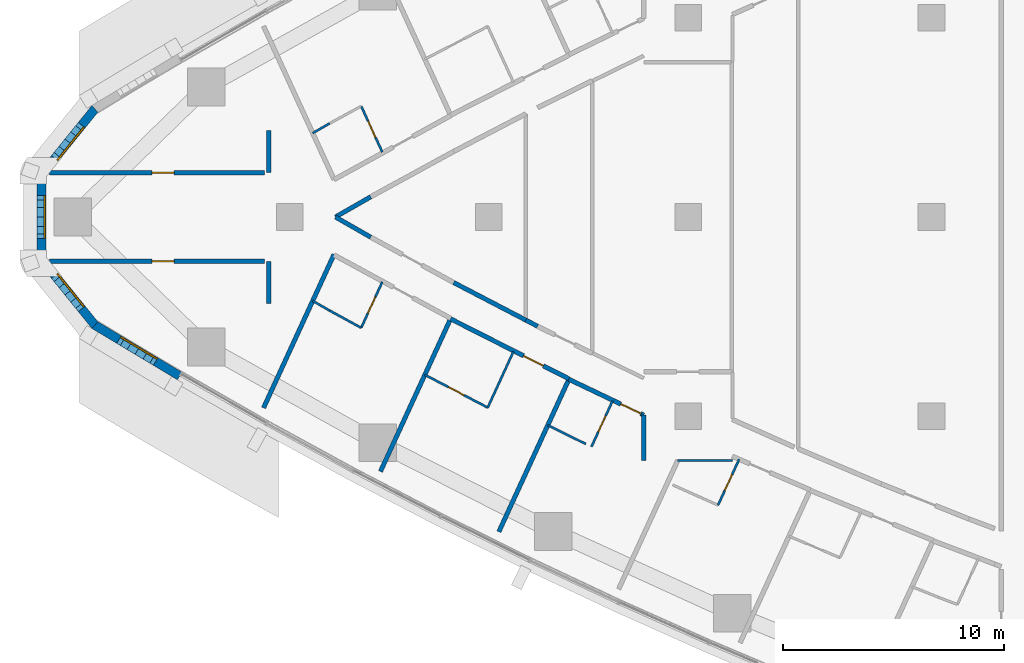
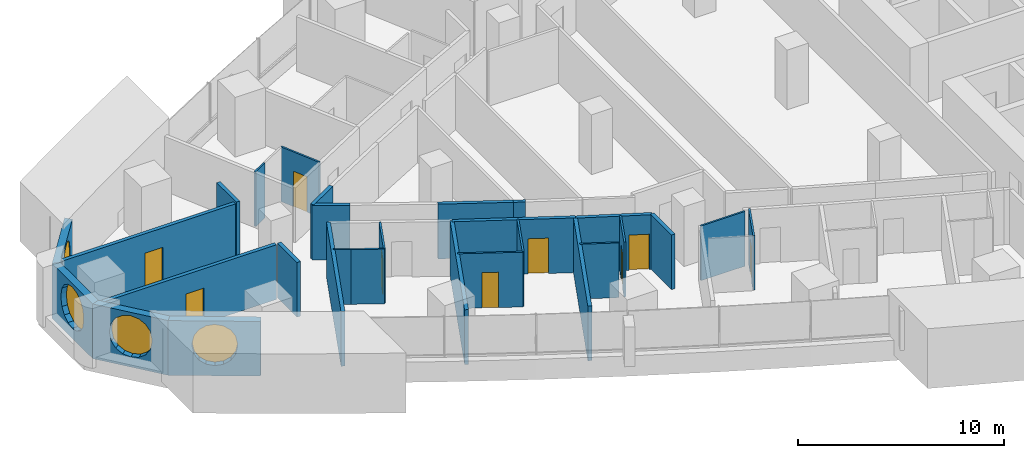
# One storey, part 8 of 17: 29 walls, 9 doors, 4 windows, 13 openings.
"""IFC4 building model written with IfcOpenShell, lengths in metres."""

from ifc_helpers import new_model, si_unit, direction, frame, frame_2d, origin, place, context, subcontext, project, spatial, polyline, rectangle, outline, extrude, material, layer, layer_set, type_object, element, fill, save


model = new_model("IFC4")

# Units and contexts
model_context = context("Model", 3, precision=1e-05, world=origin(), true_north=direction((0.0, 1.0)))
body_context = subcontext(model_context, "Body", "Model", "MODEL_VIEW")
ifc_project = project(units=[si_unit("LENGTHUNIT", "METRE"), si_unit("AREAUNIT", "SQUARE_METRE"), si_unit("VOLUMEUNIT", "CUBIC_METRE"), si_unit("PLANEANGLEUNIT", "RADIAN"), si_unit("MASSUNIT", "GRAM", prefix="KILO")], contexts=[model_context])

# Site, building, storey
site_placement = place(None, origin())
site = spatial("IfcSite", under=ifc_project, at=site_placement, CompositionType="ELEMENT")
building_placement = place(site_placement, origin())
building = spatial("IfcBuilding", under=site, at=building_placement, Name="Ostrand Prow Hotel Tower", CompositionType="ELEMENT")
storey_placement = place(building_placement, frame((0.0, 0.0, 109.75)))
storey = spatial("IfcBuildingStorey", under=building, at=storey_placement, Name="L26", CompositionType="ELEMENT", Elevation=109.75)

# Wall
ifc_material_1 = material(Name="Plasterboard partition")
ifc_layer_1 = layer(ifc_material_1, 0.10009765625)
ifc_layer_set_1 = layer_set([ifc_layer_1], Name="Plasterboard partition")
wall_type_1 = type_object("IfcWallType", Name="Partition 100 bathroom wall", PredefinedType="PARTITIONING", material=ifc_layer_set_1)
wall_1_placement = place(storey_placement, frame((17.0361328125, 3.7900390625, 0.0), z_axis=(0.0, 0.0, 1.0), x_axis=(0.867629162742, 0.497211862248, 0.0)))
element("IfcWall", 1, at=wall_1_placement, inside=storey, type_object=wall_type_1, Name="BATHROOM WALL", PredefinedType="PARTITIONING", context=body_context, shape_type="SweptSolid", body=[
    extrude(rectangle(XDim=0.8818359375, YDim=0.10009765625, at=frame_2d((0.44091796875, 0.0))), origin(), (0.0, 0.0, 1.0), 3.25),
])

# Wall, opening, door
wall_2_placement = place(storey_placement, frame((19.2275390625, 5.00830078125, 0.0), z_axis=(0.0, 0.0, 1.0), x_axis=(0.417450047292, -0.908699872354, 0.0)))
wall_2 = element("IfcWall", 2, at=wall_2_placement, inside=storey, type_object=wall_type_1, Name="BATHROOM WALL", PredefinedType="PARTITIONING", context=body_context, shape_type="SweptSolid", body=[
    extrude(rectangle(XDim=2.28271484375, YDim=0.10009765625, at=frame_2d((1.141357421875, 0.0))), origin(), (0.0, 0.0, 1.0), 3.25),
])
opening_1_placement = place(wall_2_placement, frame((0.75, 0.0, 0.0)))
opening_1 = element("IfcOpeningElement", 3, at=opening_1_placement, cuts=wall_2, Name="Opening D2", PredefinedType="OPENING", context=body_context, shape_type="SweptSolid", body=[
    extrude(rectangle(XDim=0.800048828125, YDim=2.10009765625, at=frame_2d((0.39990234375, 1.050048828125))), frame((0.0, 0.06005859375, 0.0), z_axis=(0.0, -1.0, 0.0), x_axis=(1.0, 0.0, 0.0)), (0.0, 0.0, 1.0), 0.1201171875),
])
ifc_material_2 = material(Name="Timber door leaf", Category="wood")
door_type_1 = type_object("IfcDoorType", Name="Bathroom door 800", OperationType="SINGLE_SWING_LEFT", PredefinedType="DOOR", material=ifc_material_2)
door_1_placement = place(opening_1_placement, origin())
door_1 = element("IfcDoor", 4, at=door_1_placement, inside=storey, type_object=door_type_1, Name="DOOR", OperationType="SINGLE_SWING_LEFT", OverallHeight=2.10009765625, OverallWidth=0.800048828125, PredefinedType="DOOR", context=body_context, shape_type="SweptSolid", body=[
    extrude(rectangle(XDim=0.800048828125, YDim=2.10009765625, at=frame_2d((0.39990234375, 1.050048828125))), frame((0.0, 0.02490234375, 0.0), z_axis=(0.0, -1.0, 0.0), x_axis=(1.0, 0.0, 0.0)), (0.0, 0.0, 1.0), 0.050048828125),
])
fill(opening_1, door_1)

wall_3_placement = place(storey_placement, frame((20.180419921875, -2.93408203125, 0.0), z_axis=(0.0, 0.0, 1.0), x_axis=(-0.417450047292, -0.908699872354, 0.0)))
wall_3 = element("IfcWall", 5, at=wall_3_placement, inside=storey, type_object=wall_type_1, Name="BATHROOM WALL", PredefinedType="PARTITIONING", context=body_context, shape_type="SweptSolid", body=[
    extrude(rectangle(XDim=2.28271484375, YDim=0.10009765625, at=frame_2d((1.141357421875, 0.0))), origin(), (0.0, 0.0, 1.0), 3.25),
])
opening_2_placement = place(wall_3_placement, frame((0.75, 0.0, 0.0)))
opening_2 = element("IfcOpeningElement", 6, at=opening_2_placement, cuts=wall_3, Name="Opening D2", PredefinedType="OPENING", context=body_context, shape_type="SweptSolid", body=[
    extrude(rectangle(XDim=0.800048828125, YDim=2.10009765625, at=frame_2d((0.39990234375, 1.050048828125))), frame((0.0, 0.06005859375, 0.0), z_axis=(0.0, -1.0, 0.0), x_axis=(1.0, 0.0, 0.0)), (0.0, 0.0, 1.0), 0.1201171875),
])
door_2_placement = place(opening_2_placement, origin())
door_2 = element("IfcDoor", 7, at=door_2_placement, inside=storey, type_object=door_type_1, Name="DOOR", OperationType="SINGLE_SWING_LEFT", OverallHeight=2.10009765625, OverallWidth=0.800048828125, PredefinedType="DOOR", context=body_context, shape_type="SweptSolid", body=[
    extrude(rectangle(XDim=0.800048828125, YDim=2.10009765625, at=frame_2d((0.39990234375, 1.050048828125))), frame((0.0, 0.02490234375, 0.0), z_axis=(0.0, -1.0, 0.0), x_axis=(1.0, 0.0, 0.0)), (0.0, 0.0, 1.0), 0.050048828125),
])
fill(opening_2, door_2)

# Walls
wall_4_placement = place(storey_placement, frame((19.2275390625, -5.00830078125, 0.0), z_axis=(0.0, 0.0, 1.0), x_axis=(-0.877424481957, 0.479714788663, 0.0)))
element("IfcWall", 8, at=wall_4_placement, inside=storey, type_object=wall_type_1, Name="BATHROOM WALL", PredefinedType="PARTITIONING", context=body_context, shape_type="SweptSolid", body=[
    extrude(rectangle(XDim=1.62548828125, YDim=0.10009765625, at=frame_2d((0.812744140625, 0.0))), origin(), (0.0, 0.0, 1.0), 3.25),
])
wall_5_placement = place(storey_placement, frame((17.80126953125, -4.228515625, 0.0), z_axis=(0.0, 0.0, 1.0), x_axis=(-0.867629162742, 0.497211862248, 0.0)))
element("IfcWall", 9, at=wall_5_placement, inside=storey, type_object=wall_type_1, Name="BATHROOM WALL", PredefinedType="PARTITIONING", context=body_context, shape_type="SweptSolid", body=[
    extrude(rectangle(XDim=0.8818359375, YDim=0.10009765625, at=frame_2d((0.44091796875, 0.0))), origin(), (0.0, 0.0, 1.0), 3.25),
])
wall_6_placement = place(storey_placement, frame((26.10595703125, -6.085205078125, 0.0), z_axis=(0.0, 0.0, 1.0), x_axis=(-0.417431588167, -0.908708352113, 0.0)))
element("IfcWall", 10, at=wall_6_placement, inside=storey, type_object=wall_type_1, Name="BATHROOM WALL", PredefinedType="PARTITIONING", context=body_context, shape_type="SweptSolid", body=[
    extrude(rectangle(XDim=2.780517578125, YDim=0.10009765625, at=frame_2d((1.39013671875, 0.0))), origin(), (0.0, 0.0, 1.0), 3.25),
])

# Wall, opening, door
wall_7_placement = place(storey_placement, frame((24.9453125, -8.61181640625, 0.0), z_axis=(0.0, 0.0, 1.0), x_axis=(-0.886865947566, 0.46202682936, 0.0)))
wall_7 = element("IfcWall", 11, at=wall_7_placement, inside=storey, type_object=wall_type_1, Name="BATHROOM WALL", PredefinedType="PARTITIONING", context=body_context, shape_type="SweptSolid", body=[
    extrude(rectangle(XDim=3.203857421875, YDim=0.10009765625, at=frame_2d((1.60205078125, 0.0))), origin(), (0.0, 0.0, 1.0), 3.25),
])
opening_3_placement = place(wall_7_placement, frame((1.199951171875, 0.0, 0.0)))
opening_3 = element("IfcOpeningElement", 12, at=opening_3_placement, cuts=wall_7, Name="Opening D2", PredefinedType="OPENING", context=body_context, shape_type="SweptSolid", body=[
    extrude(rectangle(XDim=0.800048828125, YDim=2.10009765625, at=frame_2d((0.39990234375, 1.050048828125))), frame((0.0, 0.06005859375, 0.0), z_axis=(0.0, -1.0, 0.0), x_axis=(1.0, 0.0, 0.0)), (0.0, 0.0, 1.0), 0.1201171875),
])
door_3_placement = place(opening_3_placement, origin())
door_3 = element("IfcDoor", 13, at=door_3_placement, inside=storey, type_object=door_type_1, Name="DOOR", OperationType="SINGLE_SWING_LEFT", OverallHeight=2.10009765625, OverallWidth=0.800048828125, PredefinedType="DOOR", context=body_context, shape_type="SweptSolid", body=[
    extrude(rectangle(XDim=0.800048828125, YDim=2.10009765625, at=frame_2d((0.39990234375, 1.050048828125))), frame((0.0, 0.02490234375, 0.0), z_axis=(0.0, -1.0, 0.0), x_axis=(1.0, 0.0, 0.0)), (0.0, 0.0, 1.0), 0.050048828125),
])
fill(opening_3, door_3)

wall_8_placement = place(storey_placement, frame((30.586181640625, -8.310302734375, 0.0), z_axis=(0.0, 0.0, 1.0), x_axis=(-0.417466676952, -0.908692232626, 0.0)))
wall_8 = element("IfcWall", 14, at=wall_8_placement, inside=storey, type_object=wall_type_1, Name="BATHROOM WALL", PredefinedType="PARTITIONING", context=body_context, shape_type="SweptSolid", body=[
    extrude(rectangle(XDim=2.27734375, YDim=0.10009765625, at=frame_2d((1.138671875, 0.0))), origin(), (0.0, 0.0, 1.0), 3.25),
])
opening_4_placement = place(wall_8_placement, frame((0.75, 0.0, 0.0)))
opening_4 = element("IfcOpeningElement", 15, at=opening_4_placement, cuts=wall_8, Name="Opening D2", PredefinedType="OPENING", context=body_context, shape_type="SweptSolid", body=[
    extrude(rectangle(XDim=0.800048828125, YDim=2.10009765625, at=frame_2d((0.39990234375, 1.050048828125))), frame((0.0, 0.06005859375, 0.0), z_axis=(0.0, -1.0, 0.0), x_axis=(1.0, 0.0, 0.0)), (0.0, 0.0, 1.0), 0.1201171875),
])
door_4_placement = place(opening_4_placement, origin())
door_4 = element("IfcDoor", 16, at=door_4_placement, inside=storey, type_object=door_type_1, Name="DOOR", OperationType="SINGLE_SWING_LEFT", OverallHeight=2.10009765625, OverallWidth=0.800048828125, PredefinedType="DOOR", context=body_context, shape_type="SweptSolid", body=[
    extrude(rectangle(XDim=0.800048828125, YDim=2.10009765625, at=frame_2d((0.39990234375, 1.050048828125))), frame((0.0, 0.02490234375, 0.0), z_axis=(0.0, -1.0, 0.0), x_axis=(1.0, 0.0, 0.0)), (0.0, 0.0, 1.0), 0.050048828125),
])
fill(opening_4, door_4)

# Wall
wall_9_placement = place(storey_placement, frame((29.371337890625, -10.255126953125, 0.0), z_axis=(0.0, 0.0, 1.0), x_axis=(-0.895982200486, 0.444089964324, 0.0)))
element("IfcWall", 17, at=wall_9_placement, inside=storey, type_object=wall_type_1, Name="BATHROOM WALL", PredefinedType="PARTITIONING", context=body_context, shape_type="SweptSolid", body=[
    extrude(rectangle(XDim=1.90869140625, YDim=0.10009765625, at=frame_2d((0.954345703125, 0.0))), origin(), (0.0, 0.0, 1.0), 3.25),
])

# Wall, opening, door
wall_10_placement = place(storey_placement, frame((36.3046875, -10.9541015625, 0.0), z_axis=(0.0, 0.0, 1.0), x_axis=(-0.41750734959, -0.908673545911, 0.0)))
wall_10 = element("IfcWall", 18, at=wall_10_placement, inside=storey, type_object=wall_type_1, Name="BATHROOM WALL", PredefinedType="PARTITIONING", context=body_context, shape_type="SweptSolid", body=[
    extrude(rectangle(XDim=2.277099609375, YDim=0.10009765625, at=frame_2d((1.138671875, 0.0))), origin(), (0.0, 0.0, 1.0), 3.25),
])
opening_5_placement = place(wall_10_placement, frame((0.75, 0.0, 0.0)))
opening_5 = element("IfcOpeningElement", 19, at=opening_5_placement, cuts=wall_10, Name="Opening D2", PredefinedType="OPENING", context=body_context, shape_type="SweptSolid", body=[
    extrude(rectangle(XDim=0.800048828125, YDim=2.10009765625, at=frame_2d((0.39990234375, 1.050048828125))), frame((0.0, 0.06005859375, 0.0), z_axis=(0.0, -1.0, 0.0), x_axis=(1.0, 0.0, 0.0)), (0.0, 0.0, 1.0), 0.1201171875),
])
door_5_placement = place(opening_5_placement, origin())
door_5 = element("IfcDoor", 20, at=door_5_placement, inside=storey, type_object=door_type_1, Name="DOOR", OperationType="SINGLE_SWING_LEFT", OverallHeight=2.10009765625, OverallWidth=0.800048828125, PredefinedType="DOOR", context=body_context, shape_type="SweptSolid", body=[
    extrude(rectangle(XDim=0.800048828125, YDim=2.10009765625, at=frame_2d((0.39990234375, 1.050048828125))), frame((0.0, 0.02490234375, 0.0), z_axis=(0.0, -1.0, 0.0), x_axis=(1.0, 0.0, 0.0)), (0.0, 0.0, 1.0), 0.050048828125),
])
fill(opening_5, door_5)

# Wall
wall_11_placement = place(storey_placement, frame((33.530029296875, -11.0048828125, 0.0), z_axis=(0.0, 0.0, 1.0), x_axis=(1.0, 0.0, 0.0)))
element("IfcWall", 21, at=wall_11_placement, inside=storey, type_object=wall_type_1, Name="BATHROOM WALL", PredefinedType="PARTITIONING", context=body_context, shape_type="SweptSolid", body=[
    extrude(rectangle(XDim=2.470458984375, YDim=0.10009765625, at=frame_2d((1.2353515625, 0.0))), origin(), (0.0, 0.0, 1.0), 3.25),
])

# Wall, opening, door
ifc_material_3 = material(Name="Plasterboard partition")
ifc_layer_2 = layer(ifc_material_3, 0.199951171875)
ifc_layer_set_2 = layer_set([ifc_layer_2], Name="Plasterboard partition")
wall_type_2 = type_object("IfcWallType", Name="Partition 200 corridor wall", PredefinedType="PARTITIONING", material=ifc_layer_set_2)
wall_12_placement = place(storey_placement, frame((5.144775390625, 2.0, 0.0), z_axis=(0.0, 0.0, 1.0), x_axis=(1.0, 0.0, 0.0)))
wall_12 = element("IfcWall", 22, at=wall_12_placement, inside=storey, type_object=wall_type_2, Name="CORRIDOR WALL", PredefinedType="PARTITIONING", context=body_context, shape_type="SweptSolid", body=[
    extrude(rectangle(XDim=9.708984375, YDim=0.199951171875, at=frame_2d((4.8544921875, 0.0))), origin(), (0.0, 0.0, 1.0), 3.25),
])
opening_6_placement = place(wall_12_placement, frame((4.624755859375, 0.0, 0.0)))
opening_6 = element("IfcOpeningElement", 23, at=opening_6_placement, cuts=wall_12, Name="Opening D1", PredefinedType="OPENING", context=body_context, shape_type="SweptSolid", body=[
    extrude(rectangle(XDim=1.0, YDim=2.10009765625, at=frame_2d((0.5, 1.050048828125))), frame((0.0, 0.10986328125, 0.0), z_axis=(0.0, -1.0, 0.0), x_axis=(1.0, 0.0, 0.0)), (0.0, 0.0, 1.0), 0.219970703125),
])
ifc_material_4 = material(Name="Timber door leaf", Category="wood")
door_type_2 = type_object("IfcDoorType", Name="Guest room door 1000", OperationType="SINGLE_SWING_LEFT", PredefinedType="DOOR", material=ifc_material_4)
door_6_placement = place(opening_6_placement, origin())
door_6 = element("IfcDoor", 24, at=door_6_placement, inside=storey, type_object=door_type_2, Name="DOOR", OperationType="SINGLE_SWING_LEFT", OverallHeight=2.10009765625, OverallWidth=1.0, PredefinedType="DOOR", context=body_context, shape_type="SweptSolid", body=[
    extrude(rectangle(XDim=1.0, YDim=2.10009765625, at=frame_2d((0.5, 1.050048828125))), frame((0.0, 0.02490234375, 0.0), z_axis=(0.0, -1.0, 0.0), x_axis=(1.0, 0.0, 0.0)), (0.0, 0.0, 1.0), 0.050048828125),
])
fill(opening_6, door_6)

wall_13_placement = place(storey_placement, frame((5.144775390625, -2.0, 0.0), z_axis=(0.0, 0.0, 1.0), x_axis=(1.0, 0.0, 0.0)))
wall_13 = element("IfcWall", 25, at=wall_13_placement, inside=storey, type_object=wall_type_2, Name="CORRIDOR WALL", PredefinedType="PARTITIONING", context=body_context, shape_type="SweptSolid", body=[
    extrude(rectangle(XDim=9.708984375, YDim=0.199951171875, at=frame_2d((4.8544921875, 0.0))), origin(), (0.0, 0.0, 1.0), 3.25),
])
opening_7_placement = place(wall_13_placement, frame((4.624755859375, 0.0, 0.0)))
opening_7 = element("IfcOpeningElement", 26, at=opening_7_placement, cuts=wall_13, Name="Opening D1R", PredefinedType="OPENING", context=body_context, shape_type="SweptSolid", body=[
    extrude(rectangle(XDim=1.0, YDim=2.10009765625, at=frame_2d((0.5, 1.050048828125))), frame((0.0, 0.10986328125, 0.0), z_axis=(0.0, -1.0, 0.0), x_axis=(1.0, 0.0, 0.0)), (0.0, 0.0, 1.0), 0.219970703125),
])
ifc_material_5 = material(Name="Timber door leaf", Category="wood")
door_type_3 = type_object("IfcDoorType", Name="Guest room door 1000 right", OperationType="SINGLE_SWING_RIGHT", PredefinedType="DOOR", material=ifc_material_5)
door_7_placement = place(opening_7_placement, origin())
door_7 = element("IfcDoor", 27, at=door_7_placement, inside=storey, type_object=door_type_3, Name="DOOR", OperationType="SINGLE_SWING_RIGHT", OverallHeight=2.10009765625, OverallWidth=1.0, PredefinedType="DOOR", context=body_context, shape_type="SweptSolid", body=[
    extrude(rectangle(XDim=1.0, YDim=2.10009765625, at=frame_2d((0.5, 1.050048828125))), frame((0.0, 0.02490234375, 0.0), z_axis=(0.0, -1.0, 0.0), x_axis=(1.0, 0.0, 0.0)), (0.0, 0.0, 1.0), 0.050048828125),
])
fill(opening_7, door_7)

wall_14_placement = place(storey_placement, frame((23.265625, -4.602294921875, 0.0), z_axis=(0.0, 0.0, 1.0), x_axis=(0.892007141151, -0.452021304958, 0.0)))
wall_14 = element("IfcWall", 28, at=wall_14_placement, inside=storey, type_object=wall_type_2, Name="CORRIDOR WALL", PredefinedType="PARTITIONING", context=body_context, shape_type="SweptSolid", body=[
    extrude(rectangle(XDim=6.00439453125, YDim=0.199951171875, at=frame_2d((3.002197265625, 0.0))), origin(), (0.0, 0.0, 1.0), 3.25),
])
opening_8_placement = place(wall_14_placement, frame((3.699951171875, 0.0, 0.0)))
opening_8 = element("IfcOpeningElement", 29, at=opening_8_placement, cuts=wall_14, Name="Opening D1", PredefinedType="OPENING", context=body_context, shape_type="SweptSolid", body=[
    extrude(rectangle(XDim=1.0, YDim=2.10009765625, at=frame_2d((0.5, 1.050048828125))), frame((0.0, 0.10986328125, 0.0), z_axis=(0.0, -1.0, 0.0), x_axis=(1.0, 0.0, 0.0)), (0.0, 0.0, 1.0), 0.219970703125),
])
door_8_placement = place(opening_8_placement, origin())
door_8 = element("IfcDoor", 30, at=door_8_placement, inside=storey, type_object=door_type_2, Name="DOOR", OperationType="SINGLE_SWING_LEFT", OverallHeight=2.10009765625, OverallWidth=1.0, PredefinedType="DOOR", context=body_context, shape_type="SweptSolid", body=[
    extrude(rectangle(XDim=1.0, YDim=2.10009765625, at=frame_2d((0.5, 1.050048828125))), frame((0.0, 0.02490234375, 0.0), z_axis=(0.0, -1.0, 0.0), x_axis=(1.0, 0.0, 0.0)), (0.0, 0.0, 1.0), 0.050048828125),
])
fill(opening_8, door_8)

wall_15_placement = place(storey_placement, frame((28.61328125, -7.334716796875, 0.0), z_axis=(0.0, 0.0, 1.0), x_axis=(0.902499429765, -0.430691048518, 0.0)))
wall_15 = element("IfcWall", 31, at=wall_15_placement, inside=storey, type_object=wall_type_2, Name="CORRIDOR WALL", PredefinedType="PARTITIONING", context=body_context, shape_type="SweptSolid", body=[
    extrude(rectangle(XDim=3.752685546875, YDim=0.199951171875, at=frame_2d((1.87646484375, 0.0))), origin(), (0.0, 0.0, 1.0), 3.25),
])
opening_9_placement = place(wall_15_placement, frame((2.60009765625, 0.0, 0.0)))
opening_9 = element("IfcOpeningElement", 32, at=opening_9_placement, cuts=wall_15, Name="Opening D1", PredefinedType="OPENING", context=body_context, shape_type="SweptSolid", body=[
    extrude(rectangle(XDim=1.0, YDim=2.10009765625, at=frame_2d((0.5, 1.050048828125))), frame((0.0, 0.10986328125, 0.0), z_axis=(0.0, -1.0, 0.0), x_axis=(1.0, 0.0, 0.0)), (0.0, 0.0, 1.0), 0.219970703125),
])
door_9_placement = place(opening_9_placement, origin())
door_9 = element("IfcDoor", 33, at=door_9_placement, inside=storey, type_object=door_type_2, Name="DOOR", OperationType="SINGLE_SWING_LEFT", OverallHeight=2.10009765625, OverallWidth=1.0, PredefinedType="DOOR", context=body_context, shape_type="SweptSolid", body=[
    extrude(rectangle(XDim=1.0, YDim=2.10009765625, at=frame_2d((0.5, 1.050048828125))), frame((0.0, 0.02490234375, 0.0), z_axis=(0.0, -1.0, 0.0), x_axis=(1.0, 0.0, 0.0)), (0.0, 0.0, 1.0), 0.050048828125),
])
fill(opening_9, door_9)

# Walls
for number, where, z_axis, x_axis, name in (
    (34, (19.6572265625, -0.912353515625, 0.0), (0.0, 0.0, 1.0), (-0.867694156962, 0.49709843087, 0.0), "CORRIDOR WALL"),
    (35, (18.064697265625, 0.0, 0.0), (0.0, 0.0, 1.0), (0.867694156962, 0.49709843087, 0.0), "CORRIDOR WALL"),
):
    element("IfcWall", number, at=place(storey_placement, frame(where, z_axis=z_axis, x_axis=x_axis)), inside=storey, type_object=wall_type_2, Name=name, PredefinedType="PARTITIONING", context=body_context, shape_type="SweptSolid", body=[
        extrude(rectangle(XDim=1.83544921875, YDim=0.199951171875, at=frame_2d((0.917724609375, 0.0))), origin(), (0.0, 0.0, 1.0), 3.25),
    ])
wall_16_placement = place(storey_placement, frame((26.66650390625, -4.659912109375, 0.0), z_axis=(0.0, 0.0, 1.0), x_axis=(-0.886891405098, 0.46197796004, 0.0)))
element("IfcWall", 36, at=wall_16_placement, inside=storey, type_object=wall_type_2, Name="CORRIDOR WALL", PredefinedType="PARTITIONING", context=body_context, shape_type="SweptSolid", body=[
    extrude(rectangle(XDim=3.675537109375, YDim=0.199951171875, at=frame_2d((1.837890625, 0.0))), origin(), (0.0, 0.0, 1.0), 3.25),
])
wall_17_placement = place(storey_placement, frame((15.0537109375, 3.90869140625, 0.0), z_axis=(0.0, 0.0, 1.0), x_axis=(0.0, -1.0, 0.0)))
element("IfcWall", 37, at=wall_17_placement, inside=storey, type_object=wall_type_2, Name="CORRIDOR WALL", PredefinedType="PARTITIONING", context=body_context, shape_type="SweptSolid", body=[
    extrude(rectangle(XDim=1.90380859375, YDim=0.199951171875, at=frame_2d((0.951904296875, 0.0))), origin(), (0.0, 0.0, 1.0), 3.25),
])
wall_18_placement = place(storey_placement, frame((15.0537109375, -2.0048828125, 0.0), z_axis=(0.0, 0.0, 1.0), x_axis=(0.0, -1.0, 0.0)))
element("IfcWall", 38, at=wall_18_placement, inside=storey, type_object=wall_type_2, Name="CORRIDOR WALL", PredefinedType="PARTITIONING", context=body_context, shape_type="SweptSolid", body=[
    extrude(rectangle(XDim=1.908447265625, YDim=0.199951171875, at=frame_2d((0.9541015625, 0.0))), origin(), (0.0, 0.0, 1.0), 3.25),
])
wall_19_placement = place(storey_placement, frame((32.0, -8.950927734375, 0.0), z_axis=(0.0, 0.0, 1.0), x_axis=(-0.001665276625, -0.999998613426, 0.0)))
element("IfcWall", 39, at=wall_19_placement, inside=storey, type_object=wall_type_2, Name="CORRIDOR WALL", PredefinedType="PARTITIONING", context=body_context, shape_type="SweptSolid", body=[
    extrude(rectangle(XDim=2.052490234375, YDim=0.199951171875, at=frame_2d((1.0263671875, 0.0))), origin(), (0.0, 0.0, 1.0), 3.25),
])
wall_20_placement = place(storey_placement, frame((27.1962890625, -4.935791015625, 0.0), z_axis=(0.0, 0.0, 1.0), x_axis=(-0.886948968309, 0.46186743511, 0.0)))
element("IfcWall", 40, at=wall_20_placement, inside=storey, type_object=wall_type_2, Name="CORRIDOR WALL", PredefinedType="PARTITIONING", context=body_context, shape_type="SweptSolid", body=[
    extrude(rectangle(XDim=0.597412109375, YDim=0.199951171875, at=frame_2d((0.298828125, 0.0))), origin(), (0.0, 0.0, 1.0), 3.25),
])
ifc_material_6 = material(Name="Plasterboard partition")
ifc_layer_3 = layer(ifc_material_6, 0.199951171875)
ifc_layer_set_3 = layer_set([ifc_layer_3], Name="Plasterboard partition")
wall_type_3 = type_object("IfcWallType", Name="Partition 200 key partition", PredefinedType="PARTITIONING", material=ifc_layer_set_3)
wall_21_placement = place(storey_placement, frame((14.814697265625, -8.625732421875, 0.0), z_axis=(0.0, 0.0, 1.0), x_axis=(0.417432341259, 0.908708006166, 0.0)))
element("IfcWall", 41, at=wall_21_placement, inside=storey, type_object=wall_type_3, Name="KEY PARTITION", PredefinedType="PARTITIONING", context=body_context, shape_type="SweptSolid", body=[
    extrude(rectangle(XDim=7.630615234375, YDim=0.199951171875, at=frame_2d((3.8154296875, 0.0))), origin(), (0.0, 0.0, 1.0), 3.25),
])
wall_22_placement = place(storey_placement, frame((20.09765625, -11.498779296875, 0.0), z_axis=(0.0, 0.0, 1.0), x_axis=(0.417440028355, 0.908704474913, 0.0)))
element("IfcWall", 42, at=wall_22_placement, inside=storey, type_object=wall_type_3, Name="KEY PARTITION", PredefinedType="PARTITIONING", context=body_context, shape_type="SweptSolid", body=[
    extrude(rectangle(XDim=7.609619140625, YDim=0.199951171875, at=frame_2d((3.8046875, 0.0))), origin(), (0.0, 0.0, 1.0), 3.25),
])
wall_23_placement = place(storey_placement, frame((25.44775390625, -14.2255859375, 0.0), z_axis=(0.0, 0.0, 1.0), x_axis=(0.417428513692, 0.908709764422, 0.0)))
element("IfcWall", 43, at=wall_23_placement, inside=storey, type_object=wall_type_3, Name="KEY PARTITION", PredefinedType="PARTITIONING", context=body_context, shape_type="SweptSolid", body=[
    extrude(rectangle(XDim=7.603271484375, YDim=0.199951171875, at=frame_2d((3.8017578125, 0.0))), origin(), (0.0, 0.0, 1.0), 3.25),
])

# Wall, opening, window
ifc_material_7 = material(Name="Precast concrete C40/50", Category="concrete")
ifc_layer_4 = layer(ifc_material_7, 0.39990234375)
ifc_layer_set_4 = layer_set([ifc_layer_4], Name="Precast concrete C40/50")
wall_type_4 = type_object("IfcWallType", Name="Stone-faced precast wall 400 mm", PredefinedType="NOTDEFINED", material=ifc_layer_set_4)
wall_24_placement = place(storey_placement, frame((7.1943359375, 4.8876953125, 0.0), z_axis=(0.0, 0.0, 1.0), x_axis=(-0.62903486133, -0.777377092042, 0.0)))
wall_24 = element("IfcWall", 44, at=wall_24_placement, inside=storey, type_object=wall_type_4, Name="Stone-faced wall prow 2", PredefinedType="NOTDEFINED", context=body_context, shape_type="SweptSolid", body=[
    extrude(outline(polyline([(-0.035400390625, -0.199951171875), (3.897216796875, -0.199951171875), (3.755615234375, 0.199951171875), (0.035400390625, 0.199951171875), (-0.035400390625, -0.199951171875)])), origin(), (0.0, 0.0, 1.0), 3.25),
])
opening_10_placement = place(wall_24_placement, frame((0.813232421875, 0.0, 0.60009765625)))
opening_10 = element("IfcOpeningElement", 45, at=opening_10_placement, cuts=wall_24, Name="Opening WP1", PredefinedType="OPENING", context=body_context, shape_type="SweptSolid", body=[
    extrude(outline(polyline([(0.0, 1.35009765625), (0.083740234375, 1.77099609375), (0.322265625, 2.127685546875), (0.678955078125, 2.3662109375), (1.10009765625, 2.449951171875), (1.52099609375, 2.3662109375), (1.877685546875, 2.127685546875), (2.1162109375, 1.77099609375), (2.199951171875, 1.35009765625), (2.199951171875, 1.10009765625), (2.1162109375, 0.678955078125), (1.877685546875, 0.322265625), (1.52099609375, 0.083740234375), (1.10009765625, 0.0), (0.678955078125, 0.083740234375), (0.322265625, 0.322265625), (0.083740234375, 0.678955078125), (0.0, 1.099853515625), (0.0, 1.35009765625)])), frame((0.0, 0.2099609375, 0.0), z_axis=(0.0, -1.0, 0.0), x_axis=(1.0, 0.0, 0.0)), (0.0, 0.0, 1.0), 0.419921875),
])
ifc_material_8 = material(Name="Insulated glass in bronze frame", Category="glass")
window_type = type_object("IfcWindowType", Name="Round-ended prow window 2200x2450", PartitioningType="SINGLE_PANEL", PredefinedType="WINDOW", material=ifc_material_8)
window_1_placement = place(opening_10_placement, origin())
window_1 = element("IfcWindow", 46, at=window_1_placement, inside=storey, type_object=window_type, Name="Window prow 2.1", OverallHeight=2.449951171875, OverallWidth=2.199951171875, PartitioningType="SINGLE_PANEL", PredefinedType="WINDOW", context=body_context, shape_type="SweptSolid", body=[
    extrude(outline(polyline([(0.0, 1.35009765625), (0.083740234375, 1.77099609375), (0.322265625, 2.127685546875), (0.678955078125, 2.3662109375), (1.10009765625, 2.449951171875), (1.52099609375, 2.3662109375), (1.877685546875, 2.127685546875), (2.1162109375, 1.77099609375), (2.199951171875, 1.35009765625), (2.199951171875, 1.10009765625), (2.1162109375, 0.678955078125), (1.877685546875, 0.322265625), (1.52099609375, 0.083740234375), (1.10009765625, 0.0), (0.678955078125, 0.083740234375), (0.322265625, 0.322265625), (0.083740234375, 0.678955078125), (0.0, 1.099853515625), (0.0, 1.35009765625)])), frame((0.0, 0.169921875, 0.0), z_axis=(0.0, -1.0, 0.0), x_axis=(1.0, 0.0, 0.0)), (0.0, 0.0, 1.0), 0.06005859375),
])
fill(opening_10, window_1)

wall_25_placement = place(storey_placement, frame((4.787353515625, 1.9130859375, 0.0), z_axis=(0.0, 0.0, 1.0), x_axis=(0.0, -1.0, 0.0)))
wall_25 = element("IfcWall", 47, at=wall_25_placement, inside=storey, type_object=wall_type_4, Name="Stone-faced wall prow 3", PredefinedType="NOTDEFINED", context=body_context, shape_type="SweptSolid", body=[
    extrude(outline(polyline([(-0.07080078125, -0.199951171875), (3.89697265625, -0.199951171875), (3.75537109375, 0.199951171875), (0.07080078125, 0.199951171875), (-0.07080078125, -0.199951171875)])), origin(), (0.0, 0.0, 1.0), 3.25),
])
opening_11_placement = place(wall_25_placement, frame((0.813232421875, 0.0, 0.60009765625)))
opening_11 = element("IfcOpeningElement", 48, at=opening_11_placement, cuts=wall_25, Name="Opening WP1", PredefinedType="OPENING", context=body_context, shape_type="SweptSolid", body=[
    extrude(outline(polyline([(0.0, 1.35009765625), (0.083740234375, 1.77099609375), (0.322265625, 2.127685546875), (0.678955078125, 2.3662109375), (1.10009765625, 2.449951171875), (1.52099609375, 2.3662109375), (1.877685546875, 2.127685546875), (2.1162109375, 1.77099609375), (2.199951171875, 1.35009765625), (2.199951171875, 1.10009765625), (2.1162109375, 0.678955078125), (1.877685546875, 0.322265625), (1.52099609375, 0.083740234375), (1.10009765625, 0.0), (0.678955078125, 0.083740234375), (0.322265625, 0.322265625), (0.083740234375, 0.678955078125), (0.0, 1.099853515625), (0.0, 1.35009765625)])), frame((0.0, 0.2099609375, 0.0), z_axis=(0.0, -1.0, 0.0), x_axis=(1.0, 0.0, 0.0)), (0.0, 0.0, 1.0), 0.419921875),
])
window_2_placement = place(opening_11_placement, origin())
window_2 = element("IfcWindow", 49, at=window_2_placement, inside=storey, type_object=window_type, Name="Window prow 3.1", OverallHeight=2.449951171875, OverallWidth=2.199951171875, PartitioningType="SINGLE_PANEL", PredefinedType="WINDOW", context=body_context, shape_type="SweptSolid", body=[
    extrude(outline(polyline([(0.0, 1.35009765625), (0.083740234375, 1.77099609375), (0.322265625, 2.127685546875), (0.678955078125, 2.3662109375), (1.10009765625, 2.449951171875), (1.52099609375, 2.3662109375), (1.877685546875, 2.127685546875), (2.1162109375, 1.77099609375), (2.199951171875, 1.35009765625), (2.199951171875, 1.10009765625), (2.1162109375, 0.678955078125), (1.877685546875, 0.322265625), (1.52099609375, 0.083740234375), (1.10009765625, 0.0), (0.678955078125, 0.083740234375), (0.322265625, 0.322265625), (0.083740234375, 0.678955078125), (0.0, 1.099853515625), (0.0, 1.35009765625)])), frame((0.0, 0.169921875, 0.0), z_axis=(0.0, -1.0, 0.0), x_axis=(1.0, 0.0, 0.0)), (0.0, 0.0, 1.0), 0.06005859375),
])
fill(opening_11, window_2)

wall_26_placement = place(storey_placement, frame((4.787353515625, -1.9130859375, 0.0), z_axis=(0.0, 0.0, 1.0), x_axis=(0.62903486133, -0.777377092042, 0.0)))
wall_26 = element("IfcWall", 50, at=wall_26_placement, inside=storey, type_object=wall_type_4, Name="Stone-faced wall prow 4", PredefinedType="NOTDEFINED", context=body_context, shape_type="SweptSolid", body=[
    extrude(outline(polyline([(-0.07080078125, -0.199951171875), (3.86181640625, -0.199951171875), (3.791015625, 0.199951171875), (0.07080078125, 0.199951171875), (-0.07080078125, -0.199951171875)])), origin(), (0.0, 0.0, 1.0), 3.25),
])
opening_12_placement = place(wall_26_placement, frame((0.813232421875, 0.0, 0.60009765625)))
opening_12 = element("IfcOpeningElement", 51, at=opening_12_placement, cuts=wall_26, Name="Opening WP1", PredefinedType="OPENING", context=body_context, shape_type="SweptSolid", body=[
    extrude(outline(polyline([(0.0, 1.35009765625), (0.083740234375, 1.77099609375), (0.322265625, 2.127685546875), (0.678955078125, 2.3662109375), (1.10009765625, 2.449951171875), (1.52099609375, 2.3662109375), (1.877685546875, 2.127685546875), (2.1162109375, 1.77099609375), (2.199951171875, 1.35009765625), (2.199951171875, 1.10009765625), (2.1162109375, 0.678955078125), (1.877685546875, 0.322265625), (1.52099609375, 0.083740234375), (1.10009765625, 0.0), (0.678955078125, 0.083740234375), (0.322265625, 0.322265625), (0.083740234375, 0.678955078125), (0.0, 1.099853515625), (0.0, 1.35009765625)])), frame((0.0, 0.2099609375, 0.0), z_axis=(0.0, -1.0, 0.0), x_axis=(1.0, 0.0, 0.0)), (0.0, 0.0, 1.0), 0.419921875),
])
window_3_placement = place(opening_12_placement, origin())
window_3 = element("IfcWindow", 52, at=window_3_placement, inside=storey, type_object=window_type, Name="Window prow 4.1", OverallHeight=2.449951171875, OverallWidth=2.199951171875, PartitioningType="SINGLE_PANEL", PredefinedType="WINDOW", context=body_context, shape_type="SweptSolid", body=[
    extrude(outline(polyline([(0.0, 1.35009765625), (0.083740234375, 1.77099609375), (0.322265625, 2.127685546875), (0.678955078125, 2.3662109375), (1.10009765625, 2.449951171875), (1.52099609375, 2.3662109375), (1.877685546875, 2.127685546875), (2.1162109375, 1.77099609375), (2.199951171875, 1.35009765625), (2.199951171875, 1.10009765625), (2.1162109375, 0.678955078125), (1.877685546875, 0.322265625), (1.52099609375, 0.083740234375), (1.10009765625, 0.0), (0.678955078125, 0.083740234375), (0.322265625, 0.322265625), (0.083740234375, 0.678955078125), (0.0, 1.099853515625), (0.0, 1.35009765625)])), frame((0.0, 0.169921875, 0.0), z_axis=(0.0, -1.0, 0.0), x_axis=(1.0, 0.0, 0.0)), (0.0, 0.0, 1.0), 0.06005859375),
])
fill(opening_12, window_3)

wall_27_placement = place(storey_placement, frame((7.1943359375, -4.8876953125, 0.0), z_axis=(0.0, 0.0, 1.0), x_axis=(0.857550776474, -0.514399325202, 0.0)))
wall_27 = element("IfcWall", 53, at=wall_27_placement, inside=storey, type_object=wall_type_4, Name="Stone-faced wall prow 5", PredefinedType="NOTDEFINED", context=body_context, shape_type="SweptSolid", body=[
    extrude(outline(polyline([(-0.035400390625, -0.199951171875), (4.468017578125, -0.199951171875), (4.468017578125, 0.199951171875), (0.035400390625, 0.199951171875), (-0.035400390625, -0.199951171875)])), origin(), (0.0, 0.0, 1.0), 3.25),
])
opening_13_placement = place(wall_27_placement, frame((1.134033203125, 0.0, 0.60009765625)))
opening_13 = element("IfcOpeningElement", 54, at=opening_13_placement, cuts=wall_27, Name="Opening WP1", PredefinedType="OPENING", context=body_context, shape_type="SweptSolid", body=[
    extrude(outline(polyline([(0.0, 1.35009765625), (0.083740234375, 1.77099609375), (0.322265625, 2.127685546875), (0.678955078125, 2.3662109375), (1.10009765625, 2.449951171875), (1.52099609375, 2.3662109375), (1.877685546875, 2.127685546875), (2.1162109375, 1.77099609375), (2.199951171875, 1.35009765625), (2.199951171875, 1.10009765625), (2.1162109375, 0.678955078125), (1.877685546875, 0.322265625), (1.52099609375, 0.083740234375), (1.10009765625, 0.0), (0.678955078125, 0.083740234375), (0.322265625, 0.322265625), (0.083740234375, 0.678955078125), (0.0, 1.099853515625), (0.0, 1.35009765625)])), frame((0.0, 0.2099609375, 0.0), z_axis=(0.0, -1.0, 0.0), x_axis=(1.0, 0.0, 0.0)), (0.0, 0.0, 1.0), 0.419921875),
])
window_4_placement = place(opening_13_placement, origin())
window_4 = element("IfcWindow", 55, at=window_4_placement, inside=storey, type_object=window_type, Name="Window prow 5.1", OverallHeight=2.449951171875, OverallWidth=2.199951171875, PartitioningType="SINGLE_PANEL", PredefinedType="WINDOW", context=body_context, shape_type="SweptSolid", body=[
    extrude(outline(polyline([(0.0, 1.35009765625), (0.083740234375, 1.77099609375), (0.322265625, 2.127685546875), (0.678955078125, 2.3662109375), (1.10009765625, 2.449951171875), (1.52099609375, 2.3662109375), (1.877685546875, 2.127685546875), (2.1162109375, 1.77099609375), (2.199951171875, 1.35009765625), (2.199951171875, 1.10009765625), (2.1162109375, 0.678955078125), (1.877685546875, 0.322265625), (1.52099609375, 0.083740234375), (1.10009765625, 0.0), (0.678955078125, 0.083740234375), (0.322265625, 0.322265625), (0.083740234375, 0.678955078125), (0.0, 1.099853515625), (0.0, 1.35009765625)])), frame((0.0, 0.169921875, 0.0), z_axis=(0.0, -1.0, 0.0), x_axis=(1.0, 0.0, 0.0)), (0.0, 0.0, 1.0), 0.06005859375),
])
fill(opening_13, window_4)

save(model, "model.ifc")
